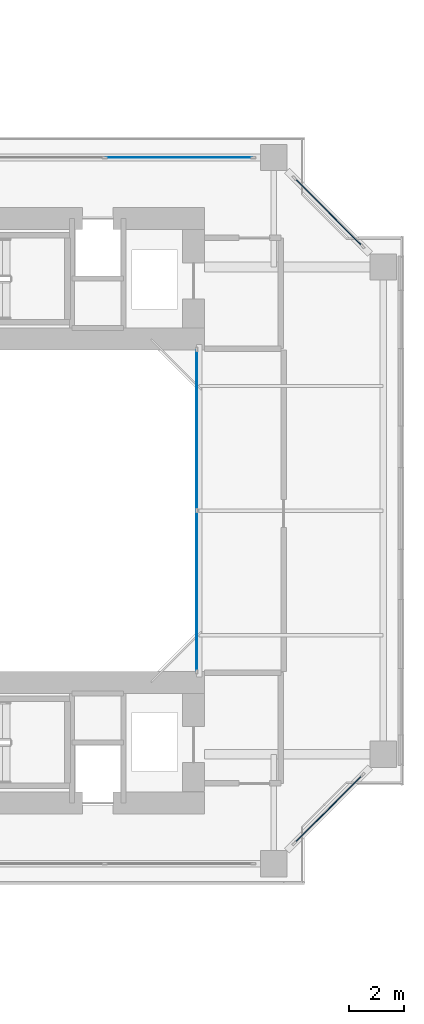
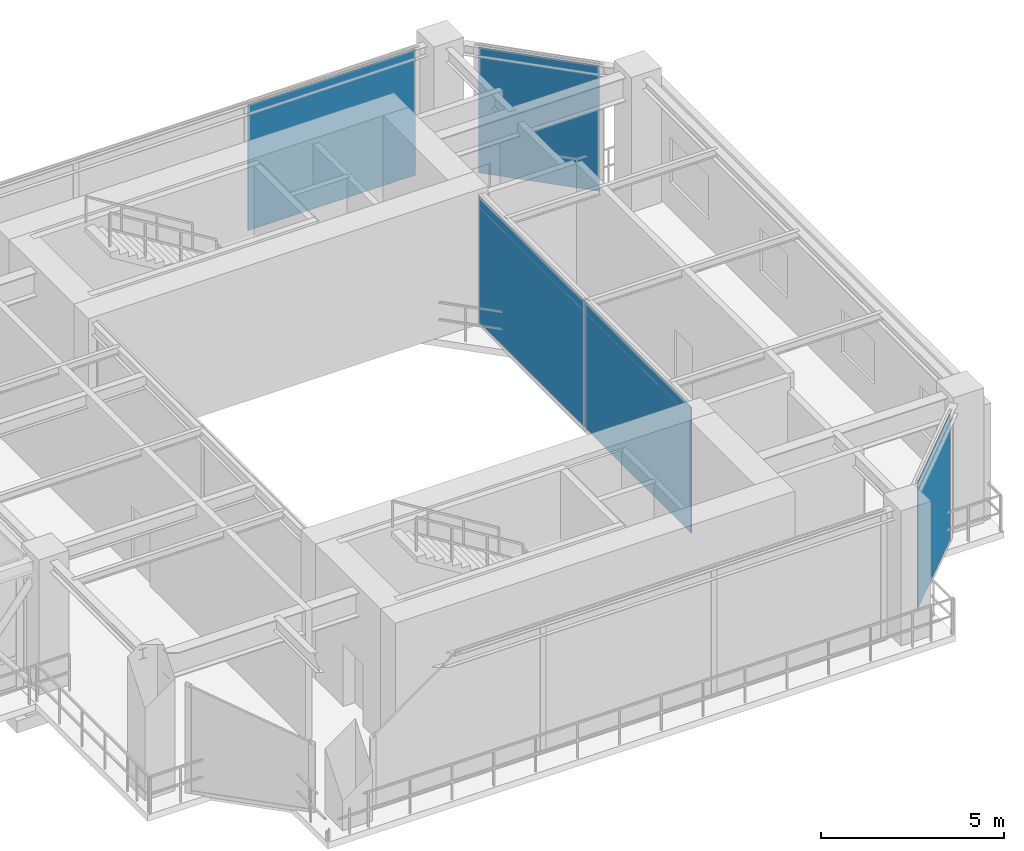
# One storey, part 14 of 26: 5 plates, 4 elements without a shape of their own.
"""IFC4 building model written with IfcOpenShell, lengths in metres."""

from ifc_helpers import new_model, si_unit, direction, frame, origin, origin_2d, place, context, subcontext, project, spatial, rectangle, extrude, source, transform, mapped, material, layer, layer_set, type_object, element, aggregate, save


model = new_model("IFC4")

# Units and contexts
model_context = context("Model", 3, precision=1e-05, world=origin(), true_north=direction((0.0, 1.0)))
body_context = subcontext(model_context, "Body", "Model", "MODEL_VIEW")
ifc_project = project(units=[si_unit("LENGTHUNIT", "METRE"), si_unit("AREAUNIT", "SQUARE_METRE"), si_unit("VOLUMEUNIT", "CUBIC_METRE"), si_unit("PLANEANGLEUNIT", "RADIAN"), si_unit("MASSUNIT", "GRAM", prefix="KILO"), si_unit("THERMODYNAMICTEMPERATUREUNIT", "KELVIN"), si_unit("POWERUNIT", "WATT")], contexts=[model_context])

# Site, building, storey
site_placement = place(None, origin())
site = spatial("IfcSite", under=ifc_project, at=site_placement, CompositionType="ELEMENT")
building_placement = place(site_placement, origin())
building = spatial("IfcBuilding", under=site, at=building_placement, Name="Qiaomeng Ring Towers", CompositionType="ELEMENT")
storey_placement = place(building_placement, frame((0.0, 0.0, 45.75)))
storey = spatial("IfcBuildingStorey", under=building, at=storey_placement, Name="L12", CompositionType="ELEMENT", Elevation=45.75)

# Curtain wall, plates
ifc_material_1 = material(Name="Fluorocarbon dark-grey aluminium", Category="aluminium")
ifc_layer_1 = layer(ifc_material_1, 0.139892578125, Name="Fluorocarbon dark-grey aluminium")
ifc_layer_set_1 = layer_set([ifc_layer_1], Name="Fluorocarbon dark-grey aluminium")
curtain_wall_type_1 = type_object("IfcCurtainWallType", Name="ARC-CW-4", PredefinedType="NOTDEFINED", material=ifc_layer_set_1)
curtain_wall_1_placement = place(storey_placement, origin())
curtain_wall_1 = element("IfcCurtainWall", 1, at=curtain_wall_1_placement, inside=storey, type_object=curtain_wall_type_1, Name="L12 Curtain Wall CW4", PredefinedType="NOTDEFINED")
ifc_material_2 = material(Name="Low-E dark-grey laminated double glazing", Category="glass")
ifc_layer_2 = layer(ifc_material_2, 0.028076171875, Name="Low-E dark-grey laminated double glazing")
ifc_layer_set_2 = layer_set([ifc_layer_2], Name="Low-E dark-grey laminated double glazing")
plate_type = type_object("IfcPlateType", Name="ARC-CWP-DARK", PredefinedType="CURTAIN_PANEL", material=ifc_layer_set_2)
shared_shape_1 = source(origin(), body_context, "Body", "SweptSolid", [
    extrude(rectangle(XDim=5.75244140625, YDim=0.028076171875, at=origin_2d()), origin(), (0.0, 0.0, 1.0), 4.18994140625),
])
plate_1_placement = place(storey_placement, frame((66.52001953125, 20.09130859375, 0.06494140625), z_axis=(0.0, 0.0, 1.0), x_axis=(0.0, 1.0, 0.0)))
plate_1 = element("IfcPlate", 2, at=plate_1_placement, type_object=plate_type, Name="CW4 panel 1.1", PredefinedType="CURTAIN_PANEL", context=body_context, shape_type="MappedRepresentation", body=[
    mapped(shared_shape_1, transform((0.0, 0.0, 0.0), x_axis=(1.0, 0.0, 0.0), y_axis=(0.0, 1.0, 0.0), z_axis=(0.0, 0.0, 1.0), scale=1.0)),
])
plate_2_placement = place(storey_placement, frame((66.52001953125, 25.90869140625, 0.06494140625), z_axis=(0.0, 0.0, 1.0), x_axis=(0.0, 1.0, 0.0)))
plate_2 = element("IfcPlate", 3, at=plate_2_placement, type_object=plate_type, Name="CW4 panel 2.1", PredefinedType="CURTAIN_PANEL", context=body_context, shape_type="MappedRepresentation", body=[
    mapped(shared_shape_1, transform((0.0, 0.0, 0.0), x_axis=(1.0, 0.0, 0.0), y_axis=(0.0, 1.0, 0.0), z_axis=(0.0, 0.0, 1.0), scale=1.0)),
])
aggregate(curtain_wall_1, [plate_1, plate_2])

# Curtain wall, plate
ifc_layer_3 = layer(ifc_material_1, 0.14990234375, Name="Fluorocarbon dark-grey aluminium")
ifc_layer_set_3 = layer_set([ifc_layer_3], Name="Fluorocarbon dark-grey aluminium")
curtain_wall_type_2 = type_object("IfcCurtainWallType", Name="ARC-CW-5", PredefinedType="NOTDEFINED", material=ifc_layer_set_3)
curtain_wall_2_placement = place(storey_placement, origin())
curtain_wall_2 = element("IfcCurtainWall", 4, at=curtain_wall_2_placement, inside=storey, type_object=curtain_wall_type_2, Name="L12 Curtain Wall CW5", PredefinedType="NOTDEFINED")
shared_shape_2 = source(origin(), body_context, "Body", "SweptSolid", [
    extrude(rectangle(XDim=5.284912109375, YDim=0.028076171875, at=origin_2d()), origin(), (0.0, 0.0, 1.0), 4.18994140625),
])
plate_3_placement = place(storey_placement, frame((65.87255859375, 35.75, 0.06494140625), z_axis=(0.0, 0.0, 1.0), x_axis=(1.0, 0.0, 0.0)))
plate_3 = element("IfcPlate", 5, at=plate_3_placement, type_object=plate_type, Name="CW5 panel 3.1", PredefinedType="CURTAIN_PANEL", context=body_context, shape_type="MappedRepresentation", body=[
    mapped(shared_shape_2, transform((0.0, 0.0, 0.0), x_axis=(1.0, 0.0, 0.0), y_axis=(0.0, 1.0, 0.0), z_axis=(0.0, 0.0, 1.0), scale=1.0)),
])
aggregate(curtain_wall_2, [plate_3])

curtain_wall_3_placement = place(storey_placement, origin())
curtain_wall_3 = element("IfcCurtainWall", 6, at=curtain_wall_3_placement, inside=storey, type_object=curtain_wall_type_2, Name="L12 Curtain Wall CW5", PredefinedType="NOTDEFINED")
shared_shape_3 = source(origin(), body_context, "Body", "SweptSolid", [
    extrude(rectangle(XDim=3.423828125, YDim=0.028076171875, at=origin_2d()), origin(), (0.0, 0.0, 1.0), 4.18994140625),
])
plate_4_placement = place(storey_placement, frame((71.27490234375, 12.22509765625, 0.06494140625), z_axis=(0.0, 0.0, 1.0), x_axis=(0.707106781187, 0.707106781187, 0.0)))
plate_4 = element("IfcPlate", 7, at=plate_4_placement, type_object=plate_type, Name="CW5 panel 1.1", PredefinedType="CURTAIN_PANEL", context=body_context, shape_type="MappedRepresentation", body=[
    mapped(shared_shape_3, transform((0.0, 0.0, 0.0), x_axis=(1.0, 0.0, 0.0), y_axis=(0.0, 1.0, 0.0), z_axis=(0.0, 0.0, 1.0), scale=1.0)),
])
aggregate(curtain_wall_3, [plate_4])

curtain_wall_4_placement = place(storey_placement, origin())
curtain_wall_4 = element("IfcCurtainWall", 8, at=curtain_wall_4_placement, inside=storey, type_object=curtain_wall_type_2, Name="L12 Curtain Wall CW5", PredefinedType="NOTDEFINED")
plate_5_placement = place(storey_placement, frame((71.27490234375, 33.77490234375, 0.06494140625), z_axis=(0.0, 0.0, 1.0), x_axis=(-0.707106781187, 0.707106781187, 0.0)))
plate_5 = element("IfcPlate", 9, at=plate_5_placement, type_object=plate_type, Name="CW5 panel 1.1", PredefinedType="CURTAIN_PANEL", context=body_context, shape_type="MappedRepresentation", body=[
    mapped(shared_shape_3, transform((0.0, 0.0, 0.0), x_axis=(1.0, 0.0, 0.0), y_axis=(0.0, 1.0, 0.0), z_axis=(0.0, 0.0, 1.0), scale=1.0)),
])
aggregate(curtain_wall_4, [plate_5])

save(model, "model.ifc")
